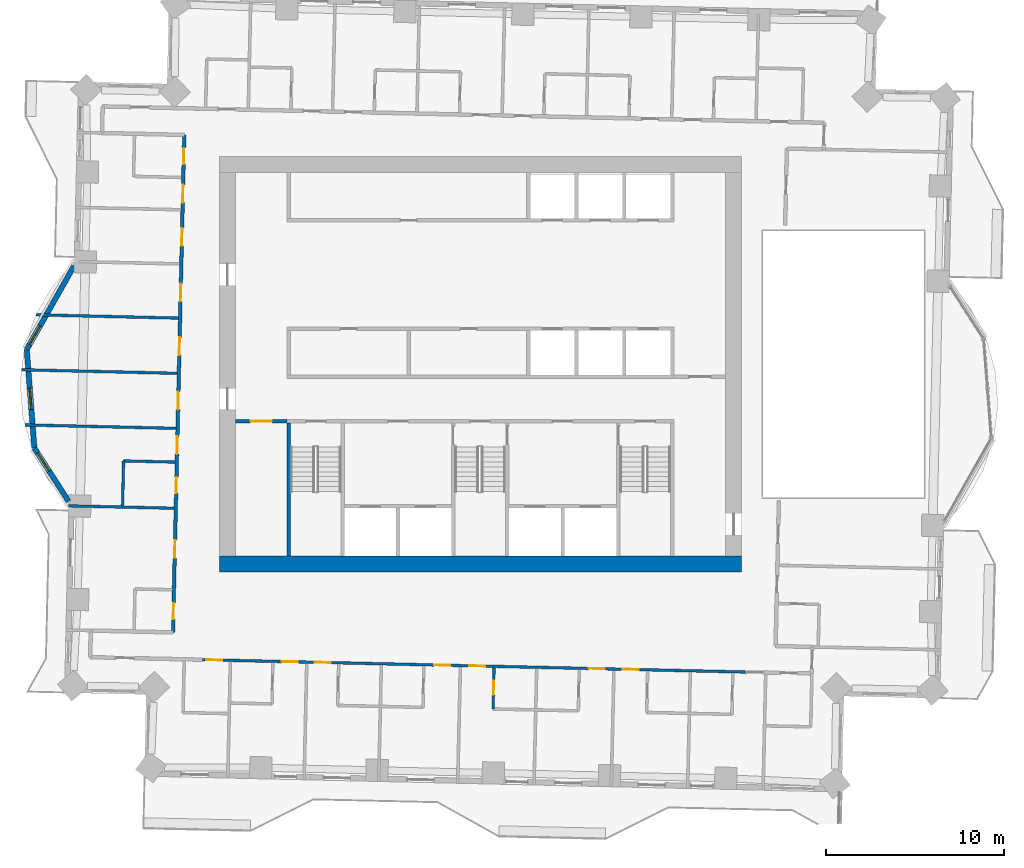
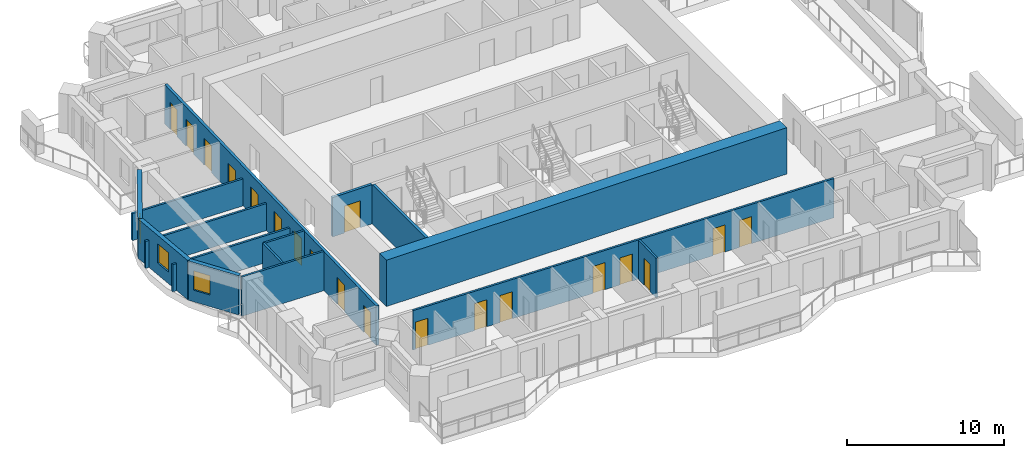
# One storey, part 5 of 14: 19 doors, 15 walls, 3 windows, 22 openings.
"""IFC4 building model written with IfcOpenShell, lengths in metres."""

from ifc_helpers import new_model, si_unit, direction, frame, frame_2d, origin, place, context, subcontext, project, spatial, rectangle, extrude, material, layer, layer_set, type_object, element, fill, save


model = new_model("IFC4")

# Units and contexts
model_context = context("Model", 3, precision=1e-05, world=origin(), true_north=direction((0.0, 1.0)))
body_context = subcontext(model_context, "Body", "Model", "MODEL_VIEW")
ifc_project = project(units=[si_unit("LENGTHUNIT", "METRE"), si_unit("AREAUNIT", "SQUARE_METRE"), si_unit("VOLUMEUNIT", "CUBIC_METRE"), si_unit("PLANEANGLEUNIT", "RADIAN"), si_unit("MASSUNIT", "GRAM", prefix="KILO")], contexts=[model_context])

# Site, building, storey
site_placement = place(None, origin())
site = spatial("IfcSite", under=ifc_project, at=site_placement, CompositionType="ELEMENT")
building_placement = place(site_placement, origin())
building = spatial("IfcBuilding", under=site, at=building_placement, Name="Mangrove Gate Tower", CompositionType="ELEMENT")
storey_placement = place(building_placement, frame((0.0, 0.0, 159.89990234375)))
storey = spatial("IfcBuildingStorey", under=building, at=storey_placement, Name="L40", CompositionType="ELEMENT", Elevation=159.89990234375)

# Wall, opening, door
ifc_material_1 = material(Name="Concrete C32/40", Category="concrete")
ifc_layer_1 = layer(ifc_material_1, 0.199951171875)
ifc_layer_set_1 = layer_set([ifc_layer_1], Name="Core lobby wall 200 C32/40")
wall_type_1 = type_object("IfcWallType", Name="Core lobby wall 200 C32/40", PredefinedType="STANDARD", material=ifc_layer_set_1)
wall_1_placement = place(storey_placement, frame((-13.800048828125, -3.199951171875, 0.0), z_axis=(0.0, 0.0, 1.0), x_axis=(1.0, 0.0, 0.0)))
wall_1 = element("IfcWall", 1, at=wall_1_placement, inside=storey, type_object=wall_type_1, Name="WALL-L40-CORE-30", PredefinedType="STANDARD", context=body_context, shape_type="SweptSolid", body=[
    extrude(rectangle(XDim=2.900146484375, YDim=0.199951171875, at=frame_2d((1.4501953125, 0.0))), origin(), (0.0, 0.0, 1.0), 3.050048828125),
])
opening_1_placement = place(wall_1_placement, frame((0.85009765625, 0.0, 0.0)))
opening_1 = element("IfcOpeningElement", 2, at=opening_1_placement, cuts=wall_1, Name="Opening FL12", PredefinedType="OPENING", context=body_context, shape_type="SweptSolid", body=[
    extrude(rectangle(XDim=1.199951171875, YDim=2.10009765625, at=frame_2d((0.60009765625, 1.050048828125))), frame((0.0, 0.10986328125, 0.0), z_axis=(0.0, -1.0, 0.0), x_axis=(1.0, 0.0, 0.0)), (0.0, 0.0, 1.0), 0.219970703125),
])
ifc_material_2 = material(Name="Fire-rated steel door set", Category="steel")
door_type_1 = type_object("IfcDoorType", Name="Lobby door FD60 1200x2100", OperationType="SINGLE_SWING_LEFT", PredefinedType="DOOR", material=ifc_material_2)
door_1_placement = place(opening_1_placement, origin())
door_1 = element("IfcDoor", 3, at=door_1_placement, inside=storey, type_object=door_type_1, Name="Lobby door core corridor W partition", OperationType="SINGLE_SWING_LEFT", OverallHeight=2.10009765625, OverallWidth=1.199951171875, PredefinedType="DOOR", context=body_context, shape_type="SweptSolid", body=[
    extrude(rectangle(XDim=1.199951171875, YDim=2.10009765625, at=frame_2d((0.60009765625, 1.050048828125))), frame((0.0, 0.02490234375, 0.0), z_axis=(0.0, -1.0, 0.0), x_axis=(1.0, 0.0, 0.0)), (0.0, 0.0, 1.0), 0.050048828125),
])
fill(opening_1, door_1)

# Walls
ifc_material_3 = material(Name="Concrete C60/75", Category="concrete")
ifc_layer_2 = layer(ifc_material_3, 0.199951171875)
ifc_layer_set_2 = layer_set([ifc_layer_2], Name="Core stair wall 200 C60/75")
wall_type_2 = type_object("IfcWallType", Name="Core stair wall 200 C60/75", PredefinedType="SHEAR", material=ifc_layer_set_2)
wall_2_placement = place(storey_placement, frame((-10.800048828125, -10.800048828125, 0.0), z_axis=(0.0, 0.0, 1.0), x_axis=(0.0, 1.0, 0.0)))
element("IfcWall", 4, at=wall_2_placement, inside=storey, type_object=wall_type_2, Name="WALL-L40-CORE-9", PredefinedType="SHEAR", context=body_context, shape_type="SweptSolid", body=[
    extrude(rectangle(XDim=7.5, YDim=0.199951171875, at=frame_2d((3.75, 0.0))), origin(), (0.0, 0.0, 1.0), 3.050048828125),
])
ifc_material_4 = material(Name="Concrete C60/75", Category="concrete")
ifc_layer_3 = layer(ifc_material_4, 0.89990234375)
ifc_layer_set_3 = layer_set([ifc_layer_3], Name="Core wall 900 C60/75")
wall_type_3 = type_object("IfcWallType", Name="Core wall 900 C60/75", PredefinedType="SHEAR", material=ifc_layer_set_3)
wall_3_placement = place(storey_placement, frame((-14.699951171875, -11.25, 0.0), z_axis=(0.0, 0.0, 1.0), x_axis=(1.0, 0.0, 0.0)))
element("IfcWall", 5, at=wall_3_placement, inside=storey, type_object=wall_type_3, Name="WALL-L40-CORE-1", PredefinedType="SHEAR", context=body_context, shape_type="SweptSolid", body=[
    extrude(rectangle(XDim=29.39990234375, YDim=0.89990234375, at=frame_2d((14.699951171875, 0.0))), origin(), (0.0, 0.0, 1.0), 3.60009765625),
])

# Wall, openings, doors
ifc_material_5 = material(Name="Gypsum board on steel stud, EI 60", Category="steel")
ifc_layer_4 = layer(ifc_material_5, 0.199951171875)
ifc_layer_set_4 = layer_set([ifc_layer_4], Name="Corridor wall EI 60")
wall_type_4 = type_object("IfcWallType", Name="Corridor wall EI 60", PredefinedType="PARTITIONING", material=ifc_layer_set_4)
wall_4_placement = place(storey_placement, frame((-17.320068359375, -15.097900390625, 0.0), z_axis=(0.0, 0.0, 1.0), x_axis=(0.022694293906, 0.999742451346, 0.0)))
wall_4 = element("IfcWall", 6, at=wall_4_placement, inside=storey, type_object=wall_type_4, Name="WALL-L40-030", PredefinedType="PARTITIONING", context=body_context, shape_type="SweptSolid", body=[
    extrude(rectangle(XDim=28.024169921875, YDim=0.199951171875, at=frame_2d((14.01220703125, 0.0))), origin(), (0.0, 0.0, 1.0), 3.050048828125),
])
opening_2_placement = place(wall_4_placement, frame((24.2119140625, 0.0, 0.0)))
opening_2 = element("IfcOpeningElement", 7, at=opening_2_placement, cuts=wall_4, Name="Opening AD", PredefinedType="OPENING", context=body_context, shape_type="SweptSolid", body=[
    extrude(rectangle(XDim=1.0, YDim=2.10009765625, at=frame_2d((0.5, 1.050048828125))), frame((0.0, 0.10986328125, 0.0), z_axis=(0.0, -1.0, 0.0), x_axis=(1.0, 0.0, 0.0)), (0.0, 0.0, 1.0), 0.219970703125),
])
opening_3_placement = place(wall_4_placement, frame((26.3740234375, 0.0, 0.0)))
opening_3 = element("IfcOpeningElement", 8, at=opening_3_placement, cuts=wall_4, Name="Opening SD", PredefinedType="OPENING", context=body_context, shape_type="SweptSolid", body=[
    extrude(rectangle(XDim=0.89990234375, YDim=2.10009765625, at=frame_2d((0.449951171875, 1.050048828125))), frame((0.0, 0.10986328125, 0.0), z_axis=(0.0, -1.0, 0.0), x_axis=(1.0, 0.0, 0.0)), (0.0, 0.0, 1.0), 0.219970703125),
])
opening_4_placement = place(wall_4_placement, frame((21.77392578125, 0.0, 0.0)))
opening_4 = element("IfcOpeningElement", 9, at=opening_4_placement, cuts=wall_4, Name="Opening AD", PredefinedType="OPENING", context=body_context, shape_type="SweptSolid", body=[
    extrude(rectangle(XDim=1.0, YDim=2.10009765625, at=frame_2d((0.5, 1.050048828125))), frame((0.0, 0.10986328125, 0.0), z_axis=(0.0, -1.0, 0.0), x_axis=(1.0, 0.0, 0.0)), (0.0, 0.0, 1.0), 0.219970703125),
])
opening_5_placement = place(wall_4_placement, frame((18.64990234375, 0.0, 0.0)))
opening_5 = element("IfcOpeningElement", 10, at=opening_5_placement, cuts=wall_4, Name="Opening AD", PredefinedType="OPENING", context=body_context, shape_type="SweptSolid", body=[
    extrude(rectangle(XDim=1.0, YDim=2.10009765625, at=frame_2d((0.5, 1.050048828125))), frame((0.0, 0.10986328125, 0.0), z_axis=(0.0, -1.0, 0.0), x_axis=(1.0, 0.0, 0.0)), (0.0, 0.0, 1.0), 0.219970703125),
])
opening_6_placement = place(wall_4_placement, frame((15.6259765625, 0.0, 0.0)))
opening_6 = element("IfcOpeningElement", 11, at=opening_6_placement, cuts=wall_4, Name="Opening AD", PredefinedType="OPENING", context=body_context, shape_type="SweptSolid", body=[
    extrude(rectangle(XDim=1.0, YDim=2.10009765625, at=frame_2d((0.5, 1.050048828125))), frame((0.0, 0.10986328125, 0.0), z_axis=(0.0, -1.0, 0.0), x_axis=(1.0, 0.0, 0.0)), (0.0, 0.0, 1.0), 0.219970703125),
])
opening_7_placement = place(wall_4_placement, frame((12.556884765625, 0.0, 0.0)))
opening_7 = element("IfcOpeningElement", 12, at=opening_7_placement, cuts=wall_4, Name="Opening AD", PredefinedType="OPENING", context=body_context, shape_type="SweptSolid", body=[
    extrude(rectangle(XDim=1.0, YDim=2.10009765625, at=frame_2d((0.5, 1.050048828125))), frame((0.0, 0.10986328125, 0.0), z_axis=(0.0, -1.0, 0.0), x_axis=(1.0, 0.0, 0.0)), (0.0, 0.0, 1.0), 0.219970703125),
])
opening_8_placement = place(wall_4_placement, frame((10.049072265625, 0.0, 0.0)))
opening_8 = element("IfcOpeningElement", 13, at=opening_8_placement, cuts=wall_4, Name="Opening AD", PredefinedType="OPENING", context=body_context, shape_type="SweptSolid", body=[
    extrude(rectangle(XDim=1.0, YDim=2.10009765625, at=frame_2d((0.5, 1.050048828125))), frame((0.0, 0.10986328125, 0.0), z_axis=(0.0, -1.0, 0.0), x_axis=(1.0, 0.0, 0.0)), (0.0, 0.0, 1.0), 0.219970703125),
])
opening_9_placement = place(wall_4_placement, frame((7.84912109375, 0.0, 0.0)))
opening_9 = element("IfcOpeningElement", 14, at=opening_9_placement, cuts=wall_4, Name="Opening SD", PredefinedType="OPENING", context=body_context, shape_type="SweptSolid", body=[
    extrude(rectangle(XDim=0.89990234375, YDim=2.10009765625, at=frame_2d((0.449951171875, 1.050048828125))), frame((0.0, 0.10986328125, 0.0), z_axis=(0.0, -1.0, 0.0), x_axis=(1.0, 0.0, 0.0)), (0.0, 0.0, 1.0), 0.219970703125),
])
opening_10_placement = place(wall_4_placement, frame((4.198974609375, 0.0, 0.0)))
opening_10 = element("IfcOpeningElement", 15, at=opening_10_placement, cuts=wall_4, Name="Opening AD", PredefinedType="OPENING", context=body_context, shape_type="SweptSolid", body=[
    extrude(rectangle(XDim=1.0, YDim=2.10009765625, at=frame_2d((0.5, 1.050048828125))), frame((0.0, 0.10986328125, 0.0), z_axis=(0.0, -1.0, 0.0), x_axis=(1.0, 0.0, 0.0)), (0.0, 0.0, 1.0), 0.219970703125),
])
opening_11_placement = place(wall_4_placement, frame((0.75, 0.0, 0.0)))
opening_11 = element("IfcOpeningElement", 16, at=opening_11_placement, cuts=wall_4, Name="Opening SD", PredefinedType="OPENING", context=body_context, shape_type="SweptSolid", body=[
    extrude(rectangle(XDim=0.89990234375, YDim=2.10009765625, at=frame_2d((0.449951171875, 1.050048828125))), frame((0.0, 0.10986328125, 0.0), z_axis=(0.0, -1.0, 0.0), x_axis=(1.0, 0.0, 0.0)), (0.0, 0.0, 1.0), 0.219970703125),
])
ifc_material_6 = material(Name="Timber door leaf", Category="wood")
door_type_2 = type_object("IfcDoorType", Name="Amenity door 1000", OperationType="SINGLE_SWING_LEFT", PredefinedType="DOOR", material=ifc_material_6)
door_2_placement = place(opening_2_placement, origin())
door_2 = element("IfcDoor", 17, at=door_2_placement, inside=storey, type_object=door_type_2, Name="DOOR-L40-LNG-c5a", OperationType="SINGLE_SWING_LEFT", OverallHeight=2.10009765625, OverallWidth=1.0, PredefinedType="DOOR", context=body_context, shape_type="SweptSolid", body=[
    extrude(rectangle(XDim=1.0, YDim=2.10009765625, at=frame_2d((0.5, 1.050048828125))), frame((0.0, 0.02490234375, 0.0), z_axis=(0.0, -1.0, 0.0), x_axis=(1.0, 0.0, 0.0)), (0.0, 0.0, 1.0), 0.050048828125),
])
fill(opening_2, door_2)
door_3_placement = place(opening_4_placement, origin())
door_3 = element("IfcDoor", 18, at=door_3_placement, inside=storey, type_object=door_type_2, Name="DOOR-L40-STU-c5b", OperationType="SINGLE_SWING_RIGHT", OverallHeight=2.10009765625, OverallWidth=1.0, PredefinedType="DOOR", context=body_context, shape_type="SweptSolid", body=[
    extrude(rectangle(XDim=1.0, YDim=2.10009765625, at=frame_2d((0.5, 1.050048828125))), frame((0.0, 0.02490234375, 0.0), z_axis=(0.0, -1.0, 0.0), x_axis=(1.0, 0.0, 0.0)), (0.0, 0.0, 1.0), 0.050048828125),
])
fill(opening_4, door_3)
door_4_placement = place(opening_5_placement, origin())
door_4 = element("IfcDoor", 19, at=door_4_placement, inside=storey, type_object=door_type_2, Name="DOOR-L40-STU-c5c", OperationType="SINGLE_SWING_LEFT", OverallHeight=2.10009765625, OverallWidth=1.0, PredefinedType="DOOR", context=body_context, shape_type="SweptSolid", body=[
    extrude(rectangle(XDim=1.0, YDim=2.10009765625, at=frame_2d((0.5, 1.050048828125))), frame((0.0, 0.02490234375, 0.0), z_axis=(0.0, -1.0, 0.0), x_axis=(1.0, 0.0, 0.0)), (0.0, 0.0, 1.0), 0.050048828125),
])
fill(opening_5, door_4)
door_5_placement = place(opening_6_placement, origin())
door_5 = element("IfcDoor", 20, at=door_5_placement, inside=storey, type_object=door_type_2, Name="DOOR-L40-STU-c5d", OperationType="SINGLE_SWING_RIGHT", OverallHeight=2.10009765625, OverallWidth=1.0, PredefinedType="DOOR", context=body_context, shape_type="SweptSolid", body=[
    extrude(rectangle(XDim=1.0, YDim=2.10009765625, at=frame_2d((0.5, 1.050048828125))), frame((0.0, 0.02490234375, 0.0), z_axis=(0.0, -1.0, 0.0), x_axis=(1.0, 0.0, 0.0)), (0.0, 0.0, 1.0), 0.050048828125),
])
fill(opening_6, door_5)
door_6_placement = place(opening_7_placement, origin())
door_6 = element("IfcDoor", 21, at=door_6_placement, inside=storey, type_object=door_type_2, Name="DOOR-L40-STU-c5e", OperationType="SINGLE_SWING_LEFT", OverallHeight=2.10009765625, OverallWidth=1.0, PredefinedType="DOOR", context=body_context, shape_type="SweptSolid", body=[
    extrude(rectangle(XDim=1.0, YDim=2.10009765625, at=frame_2d((0.5, 1.050048828125))), frame((0.0, 0.02490234375, 0.0), z_axis=(0.0, -1.0, 0.0), x_axis=(1.0, 0.0, 0.0)), (0.0, 0.0, 1.0), 0.050048828125),
])
fill(opening_7, door_6)
door_7_placement = place(opening_8_placement, origin())
door_7 = element("IfcDoor", 22, at=door_7_placement, inside=storey, type_object=door_type_2, Name="DOOR-L40-LNG-c5b", OperationType="SINGLE_SWING_RIGHT", OverallHeight=2.10009765625, OverallWidth=1.0, PredefinedType="DOOR", context=body_context, shape_type="SweptSolid", body=[
    extrude(rectangle(XDim=1.0, YDim=2.10009765625, at=frame_2d((0.5, 1.050048828125))), frame((0.0, 0.02490234375, 0.0), z_axis=(0.0, -1.0, 0.0), x_axis=(1.0, 0.0, 0.0)), (0.0, 0.0, 1.0), 0.050048828125),
])
fill(opening_8, door_7)
door_8_placement = place(opening_10_placement, origin())
door_8 = element("IfcDoor", 23, at=door_8_placement, inside=storey, type_object=door_type_2, Name="DOOR-L40-LNG-c5c", OperationType="SINGLE_SWING_LEFT", OverallHeight=2.10009765625, OverallWidth=1.0, PredefinedType="DOOR", context=body_context, shape_type="SweptSolid", body=[
    extrude(rectangle(XDim=1.0, YDim=2.10009765625, at=frame_2d((0.5, 1.050048828125))), frame((0.0, 0.02490234375, 0.0), z_axis=(0.0, -1.0, 0.0), x_axis=(1.0, 0.0, 0.0)), (0.0, 0.0, 1.0), 0.050048828125),
])
fill(opening_10, door_8)
ifc_material_7 = material(Name="Timber door leaf", Category="wood")
door_type_3 = type_object("IfcDoorType", Name="Service room door 900", OperationType="SINGLE_SWING_LEFT", PredefinedType="DOOR", material=ifc_material_7)
door_9_placement = place(opening_3_placement, origin())
door_9 = element("IfcDoor", 24, at=door_9_placement, inside=storey, type_object=door_type_3, Name="DOOR-L40-WC-c5b", OperationType="SINGLE_SWING_LEFT", OverallHeight=2.10009765625, OverallWidth=0.89990234375, PredefinedType="DOOR", context=body_context, shape_type="SweptSolid", body=[
    extrude(rectangle(XDim=0.89990234375, YDim=2.10009765625, at=frame_2d((0.449951171875, 1.050048828125))), frame((0.0, 0.02490234375, 0.0), z_axis=(0.0, -1.0, 0.0), x_axis=(1.0, 0.0, 0.0)), (0.0, 0.0, 1.0), 0.050048828125),
])
fill(opening_3, door_9)
door_10_placement = place(opening_9_placement, origin())
door_10 = element("IfcDoor", 25, at=door_10_placement, inside=storey, type_object=door_type_3, Name="DOOR-L40-AWC-c5a", OperationType="SINGLE_SWING_RIGHT", OverallHeight=2.10009765625, OverallWidth=0.89990234375, PredefinedType="DOOR", context=body_context, shape_type="SweptSolid", body=[
    extrude(rectangle(XDim=0.89990234375, YDim=2.10009765625, at=frame_2d((0.449951171875, 1.050048828125))), frame((0.0, 0.02490234375, 0.0), z_axis=(0.0, -1.0, 0.0), x_axis=(1.0, 0.0, 0.0)), (0.0, 0.0, 1.0), 0.050048828125),
])
fill(opening_9, door_10)
door_11_placement = place(opening_11_placement, origin())
door_11 = element("IfcDoor", 26, at=door_11_placement, inside=storey, type_object=door_type_3, Name="DOOR-L40-LIN-c5a", OperationType="SINGLE_SWING_LEFT", OverallHeight=2.10009765625, OverallWidth=0.89990234375, PredefinedType="DOOR", context=body_context, shape_type="SweptSolid", body=[
    extrude(rectangle(XDim=0.89990234375, YDim=2.10009765625, at=frame_2d((0.449951171875, 1.050048828125))), frame((0.0, 0.02490234375, 0.0), z_axis=(0.0, -1.0, 0.0), x_axis=(1.0, 0.0, 0.0)), (0.0, 0.0, 1.0), 0.050048828125),
])
fill(opening_11, door_11)

# Wall, opening, window
ifc_material_8 = material(Name="Limestone", Category="masonry")
ifc_layer_5 = layer(ifc_material_8, 0.0400390625, Name="Limestone cladding")
ifc_material_9 = material(Name="Ventilated air gap")
ifc_layer_6 = layer(ifc_material_9, 0.0400390625, Name="Ventilated cavity")
ifc_material_10 = material(Name="Mineral wool insulation")
ifc_layer_7 = layer(ifc_material_10, 0.06005859375, Name="Insulation")
ifc_material_11 = material(Name="Breather membrane")
ifc_layer_8 = layer(ifc_material_11, 0.001953125, Name="Breather membrane")
ifc_material_12 = material(Name="Concrete C20/25 blockwork", Category="masonry")
ifc_layer_9 = layer(ifc_material_12, 0.14990234375, Name="Blockwork backing wall")
ifc_material_13 = material(Name="Gypsum plaster")
ifc_layer_10 = layer(ifc_material_13, 0.008056640625, Name="Internal plaster")
ifc_layer_set_5 = layer_set([ifc_layer_5, ifc_layer_6, ifc_layer_7, ifc_layer_8, ifc_layer_9, ifc_layer_10], Name="External wall 300 limestone cladding")
wall_type_5 = type_object("IfcWallType", Name="External wall 300 limestone cladding", PredefinedType="SOLIDWALL", material=ifc_layer_set_5)
wall_5_placement = place(storey_placement, frame((-22.89404296875, 5.537109375, 0.0), z_axis=(0.0, 0.0, 1.0), x_axis=(-0.492495436053, -0.870315026566, 0.0)))
wall_5 = element("IfcWall", 27, at=wall_5_placement, inside=storey, type_object=wall_type_5, Name="WALL-L40-W9f1", PredefinedType="SOLIDWALL", context=body_context, shape_type="SweptSolid", body=[
    extrude(rectangle(XDim=5.39697265625, YDim=0.300048828125, at=frame_2d((2.698486328125, 0.0))), origin(), (0.0, 0.0, 1.0), 3.050048828125),
])
opening_12_placement = place(wall_5_placement, frame((3.8798828125, 0.0, 0.89990234375)))
opening_12 = element("IfcOpeningElement", 28, at=opening_12_placement, cuts=wall_5, Name="Opening W1", PredefinedType="OPENING", context=body_context, shape_type="SweptSolid", body=[
    extrude(rectangle(XDim=1.199951171875, YDim=1.5, at=frame_2d((0.60009765625, 0.75))), frame((0.0, 0.159912109375, 0.0), z_axis=(0.0, -1.0, 0.0), x_axis=(1.0, 0.0, 0.0)), (0.0, 0.0, 1.0), 0.320068359375),
])
ifc_material_14 = material(Name="Aluminium frame with double-glazed low-e glass", Category="aluminium")
window_type = type_object("IfcWindowType", Name="Side lite 1200x1500", PartitioningType="SINGLE_PANEL", PredefinedType="WINDOW", material=ifc_material_14)
window_1_placement = place(opening_12_placement, origin())
window_1 = element("IfcWindow", 29, at=window_1_placement, inside=storey, type_object=window_type, Name="WIN-L40-W9f1", OverallHeight=1.5, OverallWidth=1.199951171875, PartitioningType="SINGLE_PANEL", PredefinedType="WINDOW", context=body_context, shape_type="SweptSolid", body=[
    extrude(rectangle(XDim=1.199951171875, YDim=1.5, at=frame_2d((0.60009765625, 0.75))), frame((0.0, 0.030029296875, 0.0), z_axis=(0.0, -1.0, 0.0), x_axis=(1.0, 0.0, 0.0)), (0.0, 0.0, 1.0), 0.06005859375),
])
fill(opening_12, window_1)

wall_6_placement = place(storey_placement, frame((-25.552001953125, 0.840087890625, 0.0), z_axis=(0.0, 0.0, 1.0), x_axis=(0.076961115238, -0.997034095075, 0.0)))
wall_6 = element("IfcWall", 30, at=wall_6_placement, inside=storey, type_object=wall_type_5, Name="WALL-L40-W9f2", PredefinedType="SOLIDWALL", context=body_context, shape_type="SweptSolid", body=[
    extrude(rectangle(XDim=5.57373046875, YDim=0.300048828125, at=frame_2d((2.786865234375, 0.0))), origin(), (0.0, 0.0, 1.0), 3.050048828125),
])
opening_13_placement = place(wall_6_placement, frame((2.18701171875, 0.0, 0.89990234375)))
opening_13 = element("IfcOpeningElement", 31, at=opening_13_placement, cuts=wall_6, Name="Opening W1", PredefinedType="OPENING", context=body_context, shape_type="SweptSolid", body=[
    extrude(rectangle(XDim=1.199951171875, YDim=1.5, at=frame_2d((0.60009765625, 0.75))), frame((0.0, 0.159912109375, 0.0), z_axis=(0.0, -1.0, 0.0), x_axis=(1.0, 0.0, 0.0)), (0.0, 0.0, 1.0), 0.320068359375),
])
window_2_placement = place(opening_13_placement, origin())
window_2 = element("IfcWindow", 32, at=window_2_placement, inside=storey, type_object=window_type, Name="WIN-L40-W9f2", OverallHeight=1.5, OverallWidth=1.199951171875, PartitioningType="SINGLE_PANEL", PredefinedType="WINDOW", context=body_context, shape_type="SweptSolid", body=[
    extrude(rectangle(XDim=1.199951171875, YDim=1.5, at=frame_2d((0.60009765625, 0.75))), frame((0.0, 0.030029296875, 0.0), z_axis=(0.0, -1.0, 0.0), x_axis=(1.0, 0.0, 0.0)), (0.0, 0.0, 1.0), 0.06005859375),
])
fill(opening_13, window_2)

wall_7_placement = place(storey_placement, frame((-25.123046875, -4.717041015625, 0.0), z_axis=(0.0, 0.0, 1.0), x_axis=(0.54058467792, -0.841289608873, 0.0)))
wall_7 = element("IfcWall", 33, at=wall_7_placement, inside=storey, type_object=wall_type_5, Name="WALL-L40-W9f3", PredefinedType="SOLIDWALL", context=body_context, shape_type="SweptSolid", body=[
    extrude(rectangle(XDim=3.568359375, YDim=0.300048828125, at=frame_2d((1.7841796875, 0.0))), origin(), (0.0, 0.0, 1.0), 3.050048828125),
])
opening_14_placement = place(wall_7_placement, frame((0.337890625, 0.0, 0.89990234375)))
opening_14 = element("IfcOpeningElement", 34, at=opening_14_placement, cuts=wall_7, Name="Opening W1", PredefinedType="OPENING", context=body_context, shape_type="SweptSolid", body=[
    extrude(rectangle(XDim=1.199951171875, YDim=1.5, at=frame_2d((0.60009765625, 0.75))), frame((0.0, 0.159912109375, 0.0), z_axis=(0.0, -1.0, 0.0), x_axis=(1.0, 0.0, 0.0)), (0.0, 0.0, 1.0), 0.320068359375),
])
window_3_placement = place(opening_14_placement, origin())
window_3 = element("IfcWindow", 35, at=window_3_placement, inside=storey, type_object=window_type, Name="WIN-L40-W9f3", OverallHeight=1.5, OverallWidth=1.199951171875, PartitioningType="SINGLE_PANEL", PredefinedType="WINDOW", context=body_context, shape_type="SweptSolid", body=[
    extrude(rectangle(XDim=1.199951171875, YDim=1.5, at=frame_2d((0.60009765625, 0.75))), frame((0.0, 0.030029296875, 0.0), z_axis=(0.0, -1.0, 0.0), x_axis=(1.0, 0.0, 0.0)), (0.0, 0.0, 1.0), 0.06005859375),
])
fill(opening_14, window_3)

# Wall, opening, door
ifc_material_15 = material(Name="Gypsum board on steel stud, EI 60", Category="steel")
ifc_layer_11 = layer(ifc_material_15, 0.14990234375)
ifc_layer_set_6 = layer_set([ifc_layer_11], Name="Party wall 150 EI 60")
wall_type_6 = type_object("IfcWallType", Name="Party wall 150 EI 60", PredefinedType="PARTITIONING", material=ifc_layer_set_6)
wall_8_placement = place(storey_placement, frame((0.70703125, -19.407958984375, 0.0), z_axis=(0.0, 0.0, 1.0), x_axis=(0.02279059109, 0.999740260747, 0.0)))
wall_8 = element("IfcWall", 36, at=wall_8_placement, inside=storey, type_object=wall_type_6, Name="WALL-L40-016", PredefinedType="PARTITIONING", context=body_context, shape_type="SweptSolid", body=[
    extrude(rectangle(XDim=2.324462890625, YDim=0.14990234375, at=frame_2d((1.162109375, 0.0))), origin(), (0.0, 0.0, 1.0), 3.050048828125),
])
opening_15_placement = place(wall_8_placement, frame((0.800048828125, 0.0, 0.0)))
opening_15 = element("IfcOpeningElement", 37, at=opening_15_placement, cuts=wall_8, Name="Opening ED", PredefinedType="OPENING", context=body_context, shape_type="SweptSolid", body=[
    extrude(rectangle(XDim=0.800048828125, YDim=2.10009765625, at=frame_2d((0.39990234375, 1.050048828125))), frame((0.0, 0.0849609375, 0.0), z_axis=(0.0, -1.0, 0.0), x_axis=(1.0, 0.0, 0.0)), (0.0, 0.0, 1.0), 0.169921875),
])
ifc_material_16 = material(Name="Timber door leaf", Category="wood")
door_type_4 = type_object("IfcDoorType", Name="En-suite door 800", OperationType="SINGLE_SWING_LEFT", PredefinedType="DOOR", material=ifc_material_16)
door_12_placement = place(opening_15_placement, origin())
door_12 = element("IfcDoor", 38, at=door_12_placement, inside=storey, type_object=door_type_4, Name="DOOR-L40-ENS-c204", OperationType="SINGLE_SWING_RIGHT", OverallHeight=2.10009765625, OverallWidth=0.800048828125, PredefinedType="DOOR", context=body_context, shape_type="SweptSolid", body=[
    extrude(rectangle(XDim=0.800048828125, YDim=2.10009765625, at=frame_2d((0.39990234375, 1.050048828125))), frame((0.0, 0.02490234375, 0.0), z_axis=(0.0, -1.0, 0.0), x_axis=(1.0, 0.0, 0.0)), (0.0, 0.0, 1.0), 0.050048828125),
])
fill(opening_15, door_12)

# Wall, openings, doors
wall_9_placement = place(storey_placement, frame((-15.64892578125, -16.633056640625, 0.0), z_axis=(0.0, 0.0, 1.0), x_axis=(0.999743261737, -0.022658565952, 0.0)))
wall_9 = element("IfcWall", 39, at=wall_9_placement, inside=storey, type_object=wall_type_6, Name="WALL-L40-027", PredefinedType="PARTITIONING", context=body_context, shape_type="SweptSolid", body=[
    extrude(rectangle(XDim=30.53564453125, YDim=0.14990234375, at=frame_2d((15.267822265625, 0.0))), origin(), (0.0, 0.0, 1.0), 3.050048828125),
])
opening_16_placement = place(wall_9_placement, frame((0.199951171875, 0.0, 0.0)))
opening_16 = element("IfcOpeningElement", 40, at=opening_16_placement, cuts=wall_9, Name="Opening SD", PredefinedType="OPENING", context=body_context, shape_type="SweptSolid", body=[
    extrude(rectangle(XDim=0.89990234375, YDim=2.10009765625, at=frame_2d((0.449951171875, 1.050048828125))), frame((0.0, 0.0849609375, 0.0), z_axis=(0.0, -1.0, 0.0), x_axis=(1.0, 0.0, 0.0)), (0.0, 0.0, 1.0), 0.169921875),
])
opening_17_placement = place(wall_9_placement, frame((4.465087890625, 0.0, 0.0)))
opening_17 = element("IfcOpeningElement", 41, at=opening_17_placement, cuts=wall_9, Name="Opening BD", PredefinedType="OPENING", context=body_context, shape_type="SweptSolid", body=[
    extrude(rectangle(XDim=0.89990234375, YDim=2.10009765625, at=frame_2d((0.449951171875, 1.050048828125))), frame((0.0, 0.0849609375, 0.0), z_axis=(0.0, -1.0, 0.0), x_axis=(1.0, 0.0, 0.0)), (0.0, 0.0, 1.0), 0.169921875),
])
opening_18_placement = place(wall_9_placement, frame((6.31494140625, 0.0, 0.0)))
opening_18 = element("IfcOpeningElement", 42, at=opening_18_placement, cuts=wall_9, Name="Opening BD", PredefinedType="OPENING", context=body_context, shape_type="SweptSolid", body=[
    extrude(rectangle(XDim=0.89990234375, YDim=2.10009765625, at=frame_2d((0.449951171875, 1.050048828125))), frame((0.0, 0.0849609375, 0.0), z_axis=(0.0, -1.0, 0.0), x_axis=(1.0, 0.0, 0.0)), (0.0, 0.0, 1.0), 0.169921875),
])
opening_19_placement = place(wall_9_placement, frame((13.0400390625, 0.0, 0.0)))
opening_19 = element("IfcOpeningElement", 43, at=opening_19_placement, cuts=wall_9, Name="Opening BD", PredefinedType="OPENING", context=body_context, shape_type="SweptSolid", body=[
    extrude(rectangle(XDim=0.89990234375, YDim=2.10009765625, at=frame_2d((0.449951171875, 1.050048828125))), frame((0.0, 0.0849609375, 0.0), z_axis=(0.0, -1.0, 0.0), x_axis=(1.0, 0.0, 0.0)), (0.0, 0.0, 1.0), 0.169921875),
])
opening_20_placement = place(wall_9_placement, frame((15.014892578125, 0.0, 0.0)))
opening_20 = element("IfcOpeningElement", 44, at=opening_20_placement, cuts=wall_9, Name="Opening BD", PredefinedType="OPENING", context=body_context, shape_type="SweptSolid", body=[
    extrude(rectangle(XDim=0.89990234375, YDim=2.10009765625, at=frame_2d((0.449951171875, 1.050048828125))), frame((0.0, 0.0849609375, 0.0), z_axis=(0.0, -1.0, 0.0), x_axis=(1.0, 0.0, 0.0)), (0.0, 0.0, 1.0), 0.169921875),
])
opening_21_placement = place(wall_9_placement, frame((21.739990234375, 0.0, 0.0)))
opening_21 = element("IfcOpeningElement", 45, at=opening_21_placement, cuts=wall_9, Name="Opening BD", PredefinedType="OPENING", context=body_context, shape_type="SweptSolid", body=[
    extrude(rectangle(XDim=0.89990234375, YDim=2.10009765625, at=frame_2d((0.449951171875, 1.050048828125))), frame((0.0, 0.0849609375, 0.0), z_axis=(0.0, -1.0, 0.0), x_axis=(1.0, 0.0, 0.0)), (0.0, 0.0, 1.0), 0.169921875),
])
opening_22_placement = place(wall_9_placement, frame((23.6650390625, 0.0, 0.0)))
opening_22 = element("IfcOpeningElement", 46, at=opening_22_placement, cuts=wall_9, Name="Opening BD", PredefinedType="OPENING", context=body_context, shape_type="SweptSolid", body=[
    extrude(rectangle(XDim=0.89990234375, YDim=2.10009765625, at=frame_2d((0.449951171875, 1.050048828125))), frame((0.0, 0.0849609375, 0.0), z_axis=(0.0, -1.0, 0.0), x_axis=(1.0, 0.0, 0.0)), (0.0, 0.0, 1.0), 0.169921875),
])
ifc_material_17 = material(Name="Timber door leaf", Category="wood")
door_type_5 = type_object("IfcDoorType", Name="Bedroom door 900", OperationType="SINGLE_SWING_LEFT", PredefinedType="DOOR", material=ifc_material_17)
door_13_placement = place(opening_17_placement, origin())
door_13 = element("IfcDoor", 47, at=door_13_placement, inside=storey, type_object=door_type_5, Name="DOOR-L40-BED-c101", OperationType="SINGLE_SWING_LEFT", OverallHeight=2.10009765625, OverallWidth=0.89990234375, PredefinedType="DOOR", context=body_context, shape_type="SweptSolid", body=[
    extrude(rectangle(XDim=0.89990234375, YDim=2.10009765625, at=frame_2d((0.449951171875, 1.050048828125))), frame((0.0, 0.02490234375, 0.0), z_axis=(0.0, -1.0, 0.0), x_axis=(1.0, 0.0, 0.0)), (0.0, 0.0, 1.0), 0.050048828125),
])
fill(opening_17, door_13)
door_14_placement = place(opening_18_placement, origin())
door_14 = element("IfcDoor", 48, at=door_14_placement, inside=storey, type_object=door_type_5, Name="DOOR-L40-BED-c102", OperationType="SINGLE_SWING_RIGHT", OverallHeight=2.10009765625, OverallWidth=0.89990234375, PredefinedType="DOOR", context=body_context, shape_type="SweptSolid", body=[
    extrude(rectangle(XDim=0.89990234375, YDim=2.10009765625, at=frame_2d((0.449951171875, 1.050048828125))), frame((0.0, 0.02490234375, 0.0), z_axis=(0.0, -1.0, 0.0), x_axis=(1.0, 0.0, 0.0)), (0.0, 0.0, 1.0), 0.050048828125),
])
fill(opening_18, door_14)
door_15_placement = place(opening_19_placement, origin())
door_15 = element("IfcDoor", 49, at=door_15_placement, inside=storey, type_object=door_type_5, Name="DOOR-L40-BED-c103", OperationType="SINGLE_SWING_LEFT", OverallHeight=2.10009765625, OverallWidth=0.89990234375, PredefinedType="DOOR", context=body_context, shape_type="SweptSolid", body=[
    extrude(rectangle(XDim=0.89990234375, YDim=2.10009765625, at=frame_2d((0.449951171875, 1.050048828125))), frame((0.0, 0.02490234375, 0.0), z_axis=(0.0, -1.0, 0.0), x_axis=(1.0, 0.0, 0.0)), (0.0, 0.0, 1.0), 0.050048828125),
])
fill(opening_19, door_15)
door_16_placement = place(opening_20_placement, origin())
door_16 = element("IfcDoor", 50, at=door_16_placement, inside=storey, type_object=door_type_5, Name="DOOR-L40-BED-c204", OperationType="SINGLE_SWING_RIGHT", OverallHeight=2.10009765625, OverallWidth=0.89990234375, PredefinedType="DOOR", context=body_context, shape_type="SweptSolid", body=[
    extrude(rectangle(XDim=0.89990234375, YDim=2.10009765625, at=frame_2d((0.449951171875, 1.050048828125))), frame((0.0, 0.02490234375, 0.0), z_axis=(0.0, -1.0, 0.0), x_axis=(1.0, 0.0, 0.0)), (0.0, 0.0, 1.0), 0.050048828125),
])
fill(opening_20, door_16)
door_17_placement = place(opening_21_placement, origin())
door_17 = element("IfcDoor", 51, at=door_17_placement, inside=storey, type_object=door_type_5, Name="DOOR-L40-BED-c205", OperationType="SINGLE_SWING_LEFT", OverallHeight=2.10009765625, OverallWidth=0.89990234375, PredefinedType="DOOR", context=body_context, shape_type="SweptSolid", body=[
    extrude(rectangle(XDim=0.89990234375, YDim=2.10009765625, at=frame_2d((0.449951171875, 1.050048828125))), frame((0.0, 0.02490234375, 0.0), z_axis=(0.0, -1.0, 0.0), x_axis=(1.0, 0.0, 0.0)), (0.0, 0.0, 1.0), 0.050048828125),
])
fill(opening_21, door_17)
door_18_placement = place(opening_22_placement, origin())
door_18 = element("IfcDoor", 52, at=door_18_placement, inside=storey, type_object=door_type_5, Name="DOOR-L40-BED-c206", OperationType="SINGLE_SWING_RIGHT", OverallHeight=2.10009765625, OverallWidth=0.89990234375, PredefinedType="DOOR", context=body_context, shape_type="SweptSolid", body=[
    extrude(rectangle(XDim=0.89990234375, YDim=2.10009765625, at=frame_2d((0.449951171875, 1.050048828125))), frame((0.0, 0.02490234375, 0.0), z_axis=(0.0, -1.0, 0.0), x_axis=(1.0, 0.0, 0.0)), (0.0, 0.0, 1.0), 0.050048828125),
])
fill(opening_22, door_18)
door_19_placement = place(opening_16_placement, origin())
door_19 = element("IfcDoor", 53, at=door_19_placement, inside=storey, type_object=door_type_3, Name="DOOR-L40-AWC-c1a", OperationType="SINGLE_SWING_LEFT", OverallHeight=2.10009765625, OverallWidth=0.89990234375, PredefinedType="DOOR", context=body_context, shape_type="SweptSolid", body=[
    extrude(rectangle(XDim=0.89990234375, YDim=2.10009765625, at=frame_2d((0.449951171875, 1.050048828125))), frame((0.0, 0.02490234375, 0.0), z_axis=(0.0, -1.0, 0.0), x_axis=(1.0, 0.0, 0.0)), (0.0, 0.0, 1.0), 0.050048828125),
])
fill(opening_16, door_19)

# Walls
wall_10_placement = place(storey_placement, frame((-23.18994140625, -7.968994140625, 0.0), z_axis=(0.0, 0.0, 1.0), x_axis=(0.999741261868, -0.022746633113, 0.0)))
element("IfcWall", 54, at=wall_10_placement, inside=storey, type_object=wall_type_6, Name="WALL-L40-040", PredefinedType="PARTITIONING", context=body_context, shape_type="SweptSolid", body=[
    extrude(rectangle(XDim=5.935302734375, YDim=0.14990234375, at=frame_2d((2.9677734375, 0.0))), origin(), (0.0, 0.0, 1.0), 3.050048828125),
])
wall_11_placement = place(storey_placement, frame((-20.158935546875, -7.9580078125, 0.0), z_axis=(0.0, 0.0, 1.0), x_axis=(0.022919108675, 0.999737322729, 0.0)))
element("IfcWall", 55, at=wall_11_placement, inside=storey, type_object=wall_type_6, Name="WALL-L40-041", PredefinedType="PARTITIONING", context=body_context, shape_type="SweptSolid", body=[
    extrude(rectangle(XDim=2.524658203125, YDim=0.14990234375, at=frame_2d((1.26220703125, 0.0))), origin(), (0.0, 0.0, 1.0), 3.050048828125),
])
wall_12_placement = place(storey_placement, frame((-20.096923828125, -5.43896484375, 0.0), z_axis=(0.0, 0.0, 1.0), x_axis=(0.999741748633, -0.022725229174, 0.0)))
element("IfcWall", 56, at=wall_12_placement, inside=storey, type_object=wall_type_6, Name="WALL-L40-042", PredefinedType="PARTITIONING", context=body_context, shape_type="SweptSolid", body=[
    extrude(rectangle(XDim=2.900634765625, YDim=0.14990234375, at=frame_2d((1.4501953125, 0.0))), origin(), (0.0, 0.0, 1.0), 3.050048828125),
])
wall_13_placement = place(storey_placement, frame((-25.64990234375, -3.412109375, 0.0), z_axis=(0.0, 0.0, 1.0), x_axis=(0.999742413658, -0.022695954102, 0.0)))
element("IfcWall", 57, at=wall_13_placement, inside=storey, type_object=wall_type_6, Name="WALL-L40-043", PredefinedType="PARTITIONING", context=body_context, shape_type="SweptSolid", body=[
    extrude(rectangle(XDim=8.498046875, YDim=0.14990234375, at=frame_2d((4.2490234375, 0.0))), origin(), (0.0, 0.0, 1.0), 2.10009765625),
])
wall_14_placement = place(storey_placement, frame((-25.843994140625, -0.306884765625, 0.0), z_axis=(0.0, 0.0, 1.0), x_axis=(0.999741504596, -0.022735962424, 0.0)))
element("IfcWall", 58, at=wall_14_placement, inside=storey, type_object=wall_type_6, Name="WALL-L40-044", PredefinedType="PARTITIONING", context=body_context, shape_type="SweptSolid", body=[
    extrude(rectangle(XDim=8.76220703125, YDim=0.14990234375, at=frame_2d((4.381103515625, 0.0))), origin(), (0.0, 0.0, 1.0), 2.10009765625),
])
wall_15_placement = place(storey_placement, frame((-25.0400390625, 2.785888671875, 0.0), z_axis=(0.0, 0.0, 1.0), x_axis=(0.999740625399, -0.022774589508, 0.0)))
element("IfcWall", 59, at=wall_15_placement, inside=storey, type_object=wall_type_6, Name="WALL-L40-045", PredefinedType="PARTITIONING", context=body_context, shape_type="SweptSolid", body=[
    extrude(rectangle(XDim=8.029296875, YDim=0.14990234375, at=frame_2d((4.0146484375, 0.0))), origin(), (0.0, 0.0, 1.0), 2.10009765625),
])

save(model, "model.ifc")
